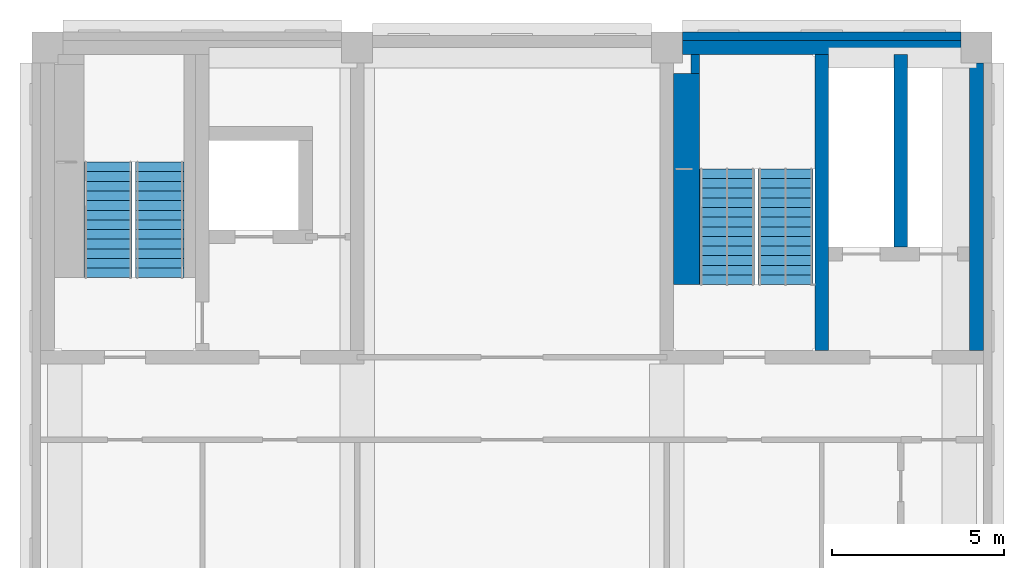
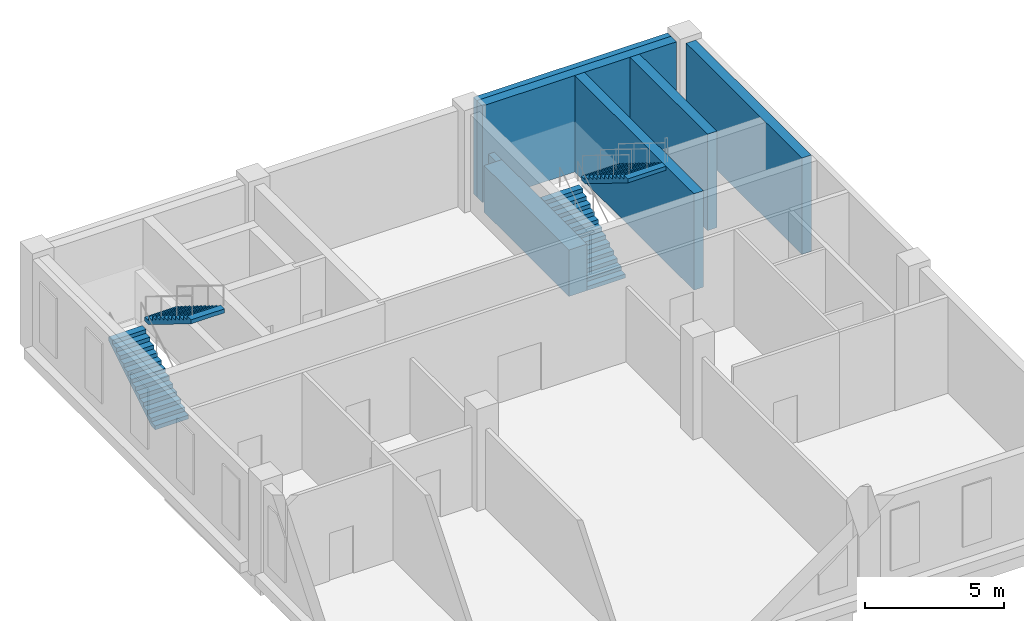
# One storey, part 3 of 5: 7 walls, 4 stair flights, 2 elements without a shape of their own.
"""IFC4 building model written with IfcOpenShell, lengths in metres."""

from ifc_helpers import new_model, si_unit, direction, frame, frame_2d, origin, place, context, subcontext, project, spatial, polyline, rectangle, outline, extrude, material, layer, layer_set, type_object, element, aggregate, save


model = new_model("IFC4")

# Units and contexts
model_context = context("Model", 3, precision=1e-05, world=origin(), true_north=direction((0.0, 1.0)))
body_context = subcontext(model_context, "Body", "Model", "MODEL_VIEW")
ifc_project = project(units=[si_unit("LENGTHUNIT", "METRE"), si_unit("AREAUNIT", "SQUARE_METRE"), si_unit("VOLUMEUNIT", "CUBIC_METRE"), si_unit("PLANEANGLEUNIT", "RADIAN"), si_unit("MASSUNIT", "GRAM", prefix="KILO")], contexts=[model_context])

# Site, building, storey
site_placement = place(None, origin())
site = spatial("IfcSite", under=ifc_project, at=site_placement, CompositionType="ELEMENT")
building_placement = place(site_placement, origin())
building = spatial("IfcBuilding", under=site, at=building_placement, Name="Aurelan Courthouse", CompositionType="ELEMENT")
storey_placement = place(building_placement, frame((0.0, 0.0, 53.39990234375)))
storey = spatial("IfcBuildingStorey", under=building, at=storey_placement, Name="L10", CompositionType="ELEMENT", Elevation=53.39990234375)

# Walls
ifc_material_1 = material(Name="Limestone cladding", Category="masonry")
ifc_layer_1 = layer(ifc_material_1, 0.070068359375, Name="Facing")
ifc_material_2 = material(Name="Ventilated cavity")
ifc_layer_2 = layer(ifc_material_2, 0.02490234375, ventilated=True, Name="Ventilated cavity")
ifc_material_3 = material(Name="Mineral wool insulation")
ifc_layer_3 = layer(ifc_material_3, 0.034912109375, Name="Insulation")
ifc_material_4 = material(Name="Concrete C30", Category="concrete")
ifc_layer_4 = layer(ifc_material_4, 0.1201171875, Name="Structure")
ifc_layer_set_1 = layer_set([ifc_layer_1, ifc_layer_2, ifc_layer_3, ifc_layer_4], Name="Concrete C30")
wall_type_1 = type_object("IfcWallType", Name="Courts' Floors stone-faced wall 250", PredefinedType="SOLIDWALL", material=ifc_layer_set_1)
wall_1_placement = place(storey_placement, frame((18.449951171875, 28.824951171875, 0.0), z_axis=(0.0, 0.0, 1.0), x_axis=(1.0, 0.0, 0.0)))
element("IfcWall", 1, at=wall_1_placement, inside=storey, type_object=wall_type_1, Name="Facade wall FW-V5-L10-006", PredefinedType="SOLIDWALL", context=body_context, shape_type="SweptSolid", body=[
    extrude(rectangle(XDim=8.10009765625, YDim=0.25, at=frame_2d((4.050048828125, 0.0))), origin(), (0.0, 0.0, 1.0), 4.25),
])
ifc_material_5 = material(Name="Concrete C50", Category="concrete")
ifc_layer_5 = layer(ifc_material_5, 0.39990234375)
ifc_layer_set_2 = layer_set([ifc_layer_5], Name="Concrete C50")
wall_type_2 = type_object("IfcWallType", Name="RC shear wall 400", PredefinedType="SHEAR", material=ifc_layer_set_2)
wall_2_placement = place(storey_placement, frame((22.5, 19.699951171875, 0.0), z_axis=(0.0, 0.0, 1.0), x_axis=(0.0, 1.0, 0.0)))
element("IfcWall", 2, at=wall_2_placement, inside=storey, type_object=wall_type_2, Name="Core wall SW-L10-007", PredefinedType="SHEAR", context=body_context, shape_type="SweptSolid", body=[
    extrude(rectangle(XDim=8.60009765625, YDim=0.39990234375, at=frame_2d((4.300048828125, 0.0))), origin(), (0.0, 0.0, 1.0), 4.25),
])
wall_3_placement = place(storey_placement, frame((27.0, 19.699951171875, 0.0), z_axis=(0.0, 0.0, 1.0), x_axis=(0.0, 1.0, 0.0)))
element("IfcWall", 3, at=wall_3_placement, inside=storey, type_object=wall_type_2, Name="Core wall SW-L10-008", PredefinedType="SHEAR", context=body_context, shape_type="SweptSolid", body=[
    extrude(rectangle(XDim=8.35009765625, YDim=0.39990234375, at=frame_2d((4.175048828125, 0.0))), origin(), (0.0, 0.0, 1.0), 4.25),
])
wall_4_placement = place(storey_placement, frame((24.800048828125, 22.699951171875, 0.0), z_axis=(0.0, 0.0, 1.0), x_axis=(0.0, 1.0, 0.0)))
element("IfcWall", 4, at=wall_4_placement, inside=storey, type_object=wall_type_2, Name="Core wall SW-L10-010", PredefinedType="SHEAR", context=body_context, shape_type="SweptSolid", body=[
    extrude(rectangle(XDim=5.60009765625, YDim=0.39990234375, at=frame_2d((2.800048828125, 0.0))), origin(), (0.0, 0.0, 1.0), 4.25),
])
wall_5_placement = place(storey_placement, frame((18.449951171875, 28.5, 0.0), z_axis=(0.0, 0.0, 1.0), x_axis=(1.0, 0.0, 0.0)))
element("IfcWall", 5, at=wall_5_placement, inside=storey, type_object=wall_type_2, Name="Core wall SW-L10-015", PredefinedType="SHEAR", context=body_context, shape_type="SweptSolid", body=[
    extrude(rectangle(XDim=8.10009765625, YDim=0.39990234375, at=frame_2d((4.050048828125, 0.0))), origin(), (0.0, 0.0, 1.0), 4.25),
])
ifc_layer_6 = layer(ifc_material_4, 0.25)
ifc_layer_set_3 = layer_set([ifc_layer_6], Name="Concrete C30")
wall_type_3 = type_object("IfcWallType", Name="Stair well wall 250 EI 120 load-bearing", PredefinedType="SHEAR", material=ifc_layer_set_3)
wall_6_placement = place(storey_placement, frame((18.824951171875, 27.75, 0.0), z_axis=(0.0, 0.0, 1.0), x_axis=(0.0, 1.0, 0.0)))
element("IfcWall", 6, at=wall_6_placement, inside=storey, type_object=wall_type_3, Name="Stair well wall ST-5A-L10 A2", PredefinedType="SHEAR", context=body_context, shape_type="SweptSolid", body=[
    extrude(rectangle(XDim=0.550048828125, YDim=0.25, at=frame_2d((0.27490234375, 0.0))), origin(), (0.0, 0.0, 1.0), 2.050048828125),
])
ifc_layer_7 = layer(ifc_material_4, 0.75)
ifc_layer_set_4 = layer_set([ifc_layer_7], Name="Concrete C30")
wall_type_4 = type_object("IfcWallType", Name="Stair well wall 750 EI 120 load-bearing", PredefinedType="SHEAR", material=ifc_layer_set_4)
wall_7_placement = place(storey_placement, frame((18.574951171875, 21.610107421875, 0.0), z_axis=(0.0, 0.0, 1.0), x_axis=(0.0, 1.0, 0.0)))
element("IfcWall", 7, at=wall_7_placement, inside=storey, type_object=wall_type_4, Name="Stair well wall ST-5A-L10 A", PredefinedType="SHEAR", context=body_context, shape_type="SweptSolid", body=[
    extrude(rectangle(XDim=6.139892578125, YDim=0.75, at=frame_2d((3.06982421875, 0.0))), origin(), (0.0, 0.0, 1.0), 2.050048828125),
])

# Stair, stair flights
stair_type_1 = type_object("IfcStairType", Name="Half-turn stair 1400 wide 26 risers", PredefinedType="HALF_TURN_STAIR", material=ifc_material_4)
stair_1_placement = place(storey_placement, origin())
stair_1 = element("IfcStair", 8, at=stair_1_placement, inside=storey, type_object=stair_type_1, Name="Stair ST-5B-L10", PredefinedType="HALF_TURN_STAIR")
stair_flight_type_1 = type_object("IfcStairFlightType", Name="Stair flight 1400 wide 13 risers", PredefinedType="STRAIGHT", material=ifc_material_4)
stair_flight_1_placement = place(storey_placement, frame((1.760009765625, 21.81005859375, 0.0), z_axis=(0.0, 0.0, 1.0), x_axis=(0.0, 1.0, 0.0)))
stair_flight_1 = element("IfcStairFlight", 9, at=stair_flight_1_placement, type_object=stair_flight_type_1, Name="Stair ST-5B-L10 flight 1", NumberOfRisers=13, NumberOfTreads=12, PredefinedType="STRAIGHT", RiserHeight=0.173076923, TreadLength=0.28, context=body_context, shape_type="SweptSolid", body=[
    extrude(outline(polyline([(0.0, 0.0), (0.0, 0.173095703125), (0.280029296875, 0.173095703125), (0.280029296875, 0.34619140625), (0.56005859375, 0.34619140625), (0.56005859375, 0.519287109375), (0.840087890625, 0.519287109375), (0.840087890625, 0.6923828125), (1.1201171875, 0.6923828125), (1.1201171875, 0.865478515625), (1.39990234375, 0.865478515625), (1.39990234375, 1.03857421875), (1.679931640625, 1.03857421875), (1.679931640625, 1.21142578125), (1.9599609375, 1.21142578125), (1.9599609375, 1.384521484375), (2.239990234375, 1.384521484375), (2.239990234375, 1.5576171875), (2.52001953125, 1.5576171875), (2.52001953125, 1.730712890625), (2.800048828125, 1.730712890625), (2.800048828125, 1.90380859375), (3.080078125, 1.90380859375), (3.080078125, 2.076904296875), (3.360107421875, 2.076904296875), (3.360107421875, 2.25), (3.360107421875, 1.900634765625), (0.28515625, 0.0), (0.0, 0.0)])), frame((0.0, 0.699951171875, 0.0), z_axis=(0.0, -1.0, 0.0), x_axis=(1.0, 0.0, 0.0)), (0.0, 0.0, 1.0), 1.39990234375),
])
stair_flight_2_placement = place(storey_placement, frame((3.260009765625, 25.169921875, 2.25), z_axis=(0.0, 0.0, 1.0), x_axis=(0.0, -1.0, 0.0)))
stair_flight_2 = element("IfcStairFlight", 10, at=stair_flight_2_placement, type_object=stair_flight_type_1, Name="Stair ST-5B-L10 flight 2", NumberOfRisers=13, NumberOfTreads=12, PredefinedType="STRAIGHT", RiserHeight=0.173076923, TreadLength=0.28, context=body_context, shape_type="SweptSolid", body=[
    extrude(outline(polyline([(0.0, 0.0), (0.0, 0.173095703125), (0.280029296875, 0.173095703125), (0.280029296875, 0.34619140625), (0.56005859375, 0.34619140625), (0.56005859375, 0.519287109375), (0.840087890625, 0.519287109375), (0.840087890625, 0.6923828125), (1.1201171875, 0.6923828125), (1.1201171875, 0.865478515625), (1.39990234375, 0.865478515625), (1.39990234375, 1.03857421875), (1.679931640625, 1.03857421875), (1.679931640625, 1.21142578125), (1.9599609375, 1.21142578125), (1.9599609375, 1.384521484375), (2.239990234375, 1.384521484375), (2.239990234375, 1.5576171875), (2.52001953125, 1.5576171875), (2.52001953125, 1.730712890625), (2.800048828125, 1.730712890625), (2.800048828125, 1.90380859375), (3.080078125, 1.90380859375), (3.080078125, 2.076904296875), (3.360107421875, 2.076904296875), (3.360107421875, 2.25), (3.360107421875, 1.900634765625), (0.28515625, 0.0), (0.0, 0.0)])), frame((0.0, 0.699951171875, 0.0), z_axis=(0.0, -1.0, 0.0), x_axis=(1.0, 0.0, 0.0)), (0.0, 0.0, 1.0), 1.39990234375),
])
aggregate(stair_1, [stair_flight_1, stair_flight_2])

stair_type_2 = type_object("IfcStairType", Name="Half-turn stair 1600 wide 26 risers", PredefinedType="HALF_TURN_STAIR", material=ifc_material_4)
stair_2_placement = place(storey_placement, origin())
stair_2 = element("IfcStair", 11, at=stair_2_placement, inside=storey, type_object=stair_type_2, Name="Stair ST-5A-L10", PredefinedType="HALF_TURN_STAIR")
stair_flight_type_2 = type_object("IfcStairFlightType", Name="Stair flight 1600 wide 13 risers", PredefinedType="STRAIGHT", material=ifc_material_4)
stair_flight_3_placement = place(storey_placement, frame((19.75, 21.610107421875, 0.0), z_axis=(0.0, 0.0, 1.0), x_axis=(0.0, 1.0, 0.0)))
stair_flight_3 = element("IfcStairFlight", 12, at=stair_flight_3_placement, type_object=stair_flight_type_2, Name="Stair ST-5A-L10 flight 1", NumberOfRisers=13, NumberOfTreads=12, PredefinedType="STRAIGHT", RiserHeight=0.173076923, TreadLength=0.28, context=body_context, shape_type="SweptSolid", body=[
    extrude(outline(polyline([(0.0, 0.0), (0.0, 0.173095703125), (0.280029296875, 0.173095703125), (0.280029296875, 0.34619140625), (0.56005859375, 0.34619140625), (0.56005859375, 0.519287109375), (0.840087890625, 0.519287109375), (0.840087890625, 0.6923828125), (1.1201171875, 0.6923828125), (1.1201171875, 0.865478515625), (1.39990234375, 0.865478515625), (1.39990234375, 1.03857421875), (1.679931640625, 1.03857421875), (1.679931640625, 1.21142578125), (1.9599609375, 1.21142578125), (1.9599609375, 1.384521484375), (2.239990234375, 1.384521484375), (2.239990234375, 1.5576171875), (2.52001953125, 1.5576171875), (2.52001953125, 1.730712890625), (2.800048828125, 1.730712890625), (2.800048828125, 1.90380859375), (3.080078125, 1.90380859375), (3.080078125, 2.076904296875), (3.360107421875, 2.076904296875), (3.360107421875, 2.25), (3.360107421875, 1.900634765625), (0.28515625, 0.0), (0.0, 0.0)])), frame((0.0, 0.800048828125, 0.0), z_axis=(0.0, -1.0, 0.0), x_axis=(1.0, 0.0, 0.0)), (0.0, 0.0, 1.0), 1.60009765625),
])
stair_flight_4_placement = place(storey_placement, frame((21.449951171875, 24.969970703125, 2.25), z_axis=(0.0, 0.0, 1.0), x_axis=(0.0, -1.0, 0.0)))
stair_flight_4 = element("IfcStairFlight", 13, at=stair_flight_4_placement, type_object=stair_flight_type_2, Name="Stair ST-5A-L10 flight 2", NumberOfRisers=13, NumberOfTreads=12, PredefinedType="STRAIGHT", RiserHeight=0.173076923, TreadLength=0.28, context=body_context, shape_type="SweptSolid", body=[
    extrude(outline(polyline([(0.0, 0.0), (0.0, 0.173095703125), (0.280029296875, 0.173095703125), (0.280029296875, 0.34619140625), (0.56005859375, 0.34619140625), (0.56005859375, 0.519287109375), (0.840087890625, 0.519287109375), (0.840087890625, 0.6923828125), (1.1201171875, 0.6923828125), (1.1201171875, 0.865478515625), (1.39990234375, 0.865478515625), (1.39990234375, 1.03857421875), (1.679931640625, 1.03857421875), (1.679931640625, 1.21142578125), (1.9599609375, 1.21142578125), (1.9599609375, 1.384521484375), (2.239990234375, 1.384521484375), (2.239990234375, 1.5576171875), (2.52001953125, 1.5576171875), (2.52001953125, 1.730712890625), (2.800048828125, 1.730712890625), (2.800048828125, 1.90380859375), (3.080078125, 1.90380859375), (3.080078125, 2.076904296875), (3.360107421875, 2.076904296875), (3.360107421875, 2.25), (3.360107421875, 1.900634765625), (0.28515625, 0.0), (0.0, 0.0)])), frame((0.0, 0.800048828125, 0.0), z_axis=(0.0, -1.0, 0.0), x_axis=(1.0, 0.0, 0.0)), (0.0, 0.0, 1.0), 1.60009765625),
])
aggregate(stair_2, [stair_flight_3, stair_flight_4])

save(model, "model.ifc")
